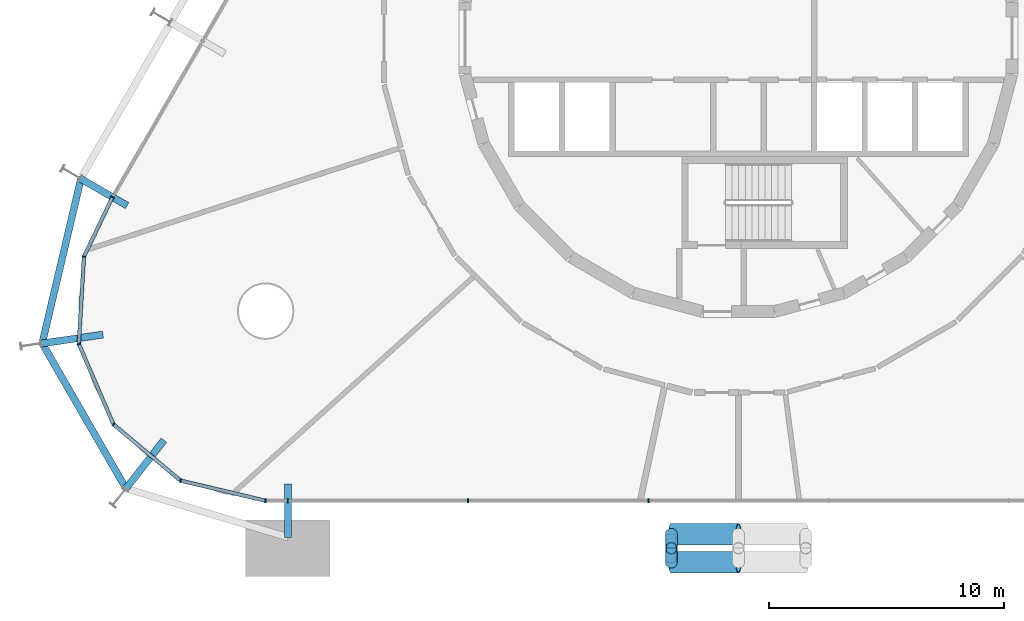
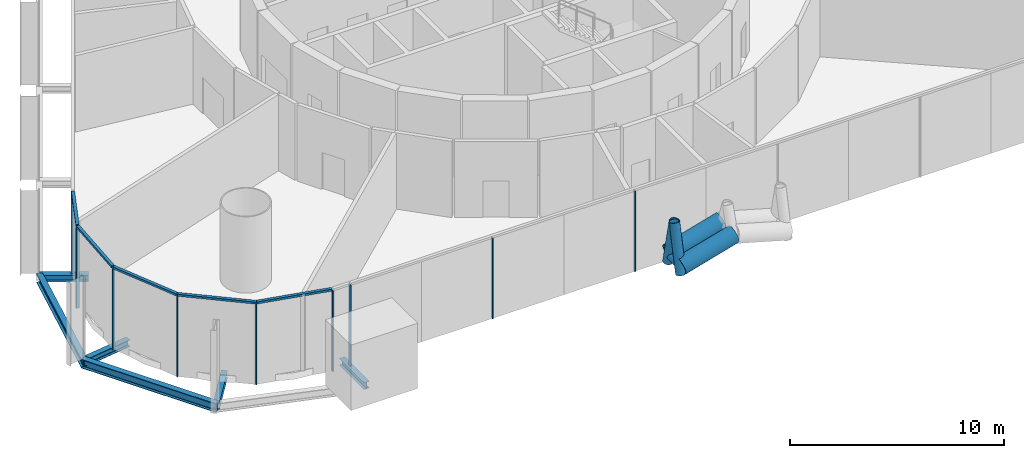
# One storey, part 3 of 17: 19 members, 6 beams, 2 elements without a shape of their own.
"""IFC4 building model written with IfcOpenShell, lengths in metres."""

from ifc_helpers import new_model, si_unit, direction, frame, origin, origin_2d, place, context, subcontext, project, spatial, rectangle, hollow_circle, i_section, extrude, material, layer, layer_set, material_profile, profile_set, type_object, element, aggregate, save


model = new_model("IFC4")

# Units and contexts
model_context = context("Model", 3, precision=1e-05, world=origin(), true_north=direction((0.0, 1.0)))
body_context = subcontext(model_context, "Body", "Model", "MODEL_VIEW")
ifc_project = project(units=[si_unit("LENGTHUNIT", "METRE"), si_unit("AREAUNIT", "SQUARE_METRE"), si_unit("VOLUMEUNIT", "CUBIC_METRE"), si_unit("PLANEANGLEUNIT", "RADIAN"), si_unit("MASSUNIT", "GRAM", prefix="KILO")], contexts=[model_context])

# Site, building, storey
site_placement = place(None, origin())
site = spatial("IfcSite", under=ifc_project, at=site_placement, CompositionType="ELEMENT")
building_placement = place(site_placement, origin())
building = spatial("IfcBuilding", under=site, at=building_placement, Name="Spindle Arch Residences", CompositionType="ELEMENT")
storey_placement = place(building_placement, frame((0.0, 0.0, 28.199951171875)))
storey = spatial("IfcBuildingStorey", under=building, at=storey_placement, Name="L05", CompositionType="ELEMENT", Elevation=28.199951171875)

# Members
ifc_material_1 = material(Name="Steel S355J2, intumescent coating R 240", Category="steel")
ifc_material_profile_1 = material_profile(ifc_material_1, hollow_circle(Radius=0.25390625, WallThickness=0.02490234375, at=origin_2d()), Name="CHS 508x25")
ifc_profile_set_1 = profile_set([ifc_material_profile_1], Name="Steel S355J2, intumescent coating R 240")
member_type_1 = type_object("IfcMemberType", Name="Arch hanger CHS 508x25", PredefinedType="BRACE", material=ifc_profile_set_1)
for number, where, z_axis, x_axis, name in (
    (1, (-2.8623046875, -21.72998046875, 3.342041015625), (0.0, -0.222066416142, -0.97503154145), (1.0, 0.0, 0.0), "Arch hanger 1.11"),
    (2, (-2.8623046875, -21.72998046875, 3.342041015625), (0.0, 0.222152337668, -0.975011968577), (-1.0, 0.0, 0.0), "Arch hanger 2.11"),
):
    element("IfcMember", number, at=place(storey_placement, frame(where, z_axis=z_axis, x_axis=x_axis)), inside=storey, type_object=member_type_1, Name=name, PredefinedType="BRACE", context=body_context, shape_type="SweptSolid", body=[
        extrude(hollow_circle(Radius=0.25390625, WallThickness=0.02490234375, at=origin_2d()), origin(), (0.0, 0.0, 1.0), 2.701171875),
    ])
ifc_material_2 = material(Name="Steel S355J2, intumescent coating R 240", Category="steel")
ifc_material_profile_2 = material_profile(ifc_material_2, hollow_circle(Radius=0.45703125, WallThickness=0.050048828125, at=origin_2d()), Name="CHS 914x50")
ifc_profile_set_2 = profile_set([ifc_material_profile_2], Name="Steel S355J2, intumescent coating R 240")
member_type_2 = type_object("IfcMemberType", Name="Arch rib CHS 914x50", PredefinedType="MEMBER", material=ifc_profile_set_2)
for number, where, z_axis, x_axis, name in (
    (3, (-2.8623046875, -22.329833984375, 1.16552734375), (0.962057824422, 0.0, 0.272845638537), (0.0, 1.0, 0.0), "Arch rib 1.12"),
    (4, (-2.8623046875, -21.1298828125, 1.16552734375), (0.962057824422, 0.0, 0.272845638537), (0.0, 1.0, 0.0), "Arch rib 2.12"),
):
    element("IfcMember", number, at=place(storey_placement, frame(where, z_axis=z_axis, x_axis=x_axis)), inside=storey, type_object=member_type_2, Name=name, PredefinedType="MEMBER", context=body_context, shape_type="SweptSolid", body=[
        extrude(hollow_circle(Radius=0.45703125, WallThickness=0.050048828125, at=origin_2d()), origin(), (0.0, 0.0, 1.0), 2.97509765625),
    ])
ifc_material_3 = material(Name="Steel S355J2, intumescent coating R 240", Category="steel")
ifc_material_profile_3 = material_profile(ifc_material_3, hollow_circle(Radius=0.203125, WallThickness=0.02001953125, at=origin_2d()), Name="CHS 406.4x20")
ifc_profile_set_3 = profile_set([ifc_material_profile_3], Name="Steel S355J2, intumescent coating R 240")
member_type_3 = type_object("IfcMemberType", Name="Arch tie CHS 406.4x20", PredefinedType="MEMBER", material=ifc_profile_set_3)
member_1_placement = place(storey_placement, frame((-2.8623046875, -22.329833984375, 1.16552734375), z_axis=(0.0, 1.0, 0.0), x_axis=(-1.0, 0.0, 0.0)))
element("IfcMember", 5, at=member_1_placement, inside=storey, type_object=member_type_3, Name="Arch tie 11", PredefinedType="MEMBER", context=body_context, shape_type="SweptSolid", body=[
    extrude(hollow_circle(Radius=0.203125, WallThickness=0.02001953125, at=origin_2d()), origin(), (0.0, 0.0, 1.0), 1.199951171875),
])

# Curtain wall, members
ifc_material_4 = material(Name="Aluminium bronze unitised frame with tinted glass", Category="aluminium")
ifc_layer_1 = layer(ifc_material_4, 0.159912109375)
ifc_layer_set_1 = layer_set([ifc_layer_1], Name="CW-D corner wall on the fillet arcs")
curtain_wall_type_1 = type_object("IfcCurtainWallType", Name="CW-D corner wall on the fillet arcs", PredefinedType="NOTDEFINED", material=ifc_layer_set_1)
curtain_wall_1_placement = place(storey_placement, origin())
curtain_wall_1 = element("IfcCurtainWall", 6, at=curtain_wall_1_placement, inside=storey, type_object=curtain_wall_type_1, Name="CW-D L05 run 5", PredefinedType="NOTDEFINED")
ifc_material_5 = material(Name="Aluminium bronze anodised mullion", Category="aluminium")
ifc_material_profile_4 = material_profile(ifc_material_5, rectangle(XDim=0.159912109375, YDim=0.06005859375, at=origin_2d()), Name="MU 60x160")
ifc_profile_set_4 = profile_set([ifc_material_profile_4], Name="Aluminium bronze anodised mullion")
member_type_4 = type_object("IfcMemberType", Name="Bronze mullion 60x160", PredefinedType="MULLION", material=ifc_profile_set_4)
member_2_placement = place(storey_placement, frame((-26.66943359375, -6.77294921875, -0.3798828125), z_axis=(0.0, 0.0, 1.0), x_axis=(0.902111889092, -0.431502189519, 0.0)))
member_2 = element("IfcMember", 7, at=member_2_placement, type_object=member_type_4, Name="CW-D mullion 00", PredefinedType="MULLION", context=body_context, shape_type="SweptSolid", body=[
    extrude(rectangle(XDim=0.159912109375, YDim=0.06005859375, at=origin_2d()), origin(), (0.0, 0.0, 1.0), 4.60986328125),
])
member_3_placement = place(storey_placement, frame((-27.884033203125, -9.3125, -0.3798828125), z_axis=(0.0, 0.0, 1.0), x_axis=(0.99830815821, -0.058144829968, 0.0)))
member_3 = element("IfcMember", 8, at=member_3_placement, type_object=member_type_4, Name="CW-D mullion 01", PredefinedType="MULLION", context=body_context, shape_type="SweptSolid", body=[
    extrude(rectangle(XDim=0.159912109375, YDim=0.06005859375, at=origin_2d()), origin(), (0.0, 0.0, 1.0), 4.60986328125),
])
member_4_placement = place(storey_placement, frame((-28.100830078125, -13.032958984375, -0.3798828125), z_axis=(0.0, 0.0, 1.0), x_axis=(0.918216106599, 0.396079766691, 0.0)))
member_4 = element("IfcMember", 9, at=member_4_placement, type_object=member_type_4, Name="CW-D mullion 02", PredefinedType="MULLION", context=body_context, shape_type="SweptSolid", body=[
    extrude(rectangle(XDim=0.159912109375, YDim=0.06005859375, at=origin_2d()), origin(), (0.0, 0.0, 1.0), 4.60986328125),
])
member_5_placement = place(storey_placement, frame((-26.624755859375, -16.454833984375, -0.3798828125), z_axis=(0.0, 0.0, 1.0), x_axis=(0.64278760716, 0.766044445239, 0.0)))
member_5 = element("IfcMember", 10, at=member_5_placement, type_object=member_type_4, Name="CW-D mullion 03", PredefinedType="MULLION", context=body_context, shape_type="SweptSolid", body=[
    extrude(rectangle(XDim=0.159912109375, YDim=0.06005859375, at=origin_2d()), origin(), (0.0, 0.0, 1.0), 4.60986328125),
])
member_6_placement = place(storey_placement, frame((-23.769775390625, -18.850341796875, -0.3798828125), z_axis=(0.0, 0.0, 1.0), x_axis=(0.230615868852, 0.973044871028, 0.0)))
member_6 = element("IfcMember", 11, at=member_6_placement, type_object=member_type_4, Name="CW-D mullion 04", PredefinedType="MULLION", context=body_context, shape_type="SweptSolid", body=[
    extrude(rectangle(XDim=0.159912109375, YDim=0.06005859375, at=origin_2d()), origin(), (0.0, 0.0, 1.0), 4.60986328125),
])
member_7_placement = place(storey_placement, frame((-20.1435546875, -19.7099609375, -0.3798828125), z_axis=(0.0, 0.0, 1.0), x_axis=(0.0, 1.0, 0.0)))
member_7 = element("IfcMember", 12, at=member_7_placement, type_object=member_type_4, Name="CW-D mullion 05", PredefinedType="MULLION", context=body_context, shape_type="SweptSolid", body=[
    extrude(rectangle(XDim=0.159912109375, YDim=0.06005859375, at=origin_2d()), origin(), (0.0, 0.0, 1.0), 4.60986328125),
])

ifc_material_6 = material(Name="Aluminium bronze unitised frame with tinted glass", Category="aluminium")
ifc_layer_2 = layer(ifc_material_6, 0.159912109375)
ifc_layer_set_2 = layer_set([ifc_layer_2], Name="CW-B amenity podium glazed wall")
curtain_wall_type_2 = type_object("IfcCurtainWallType", Name="CW-B amenity podium glazed wall", PredefinedType="NOTDEFINED", material=ifc_layer_set_2)
curtain_wall_2_placement = place(storey_placement, origin())
curtain_wall_2 = element("IfcCurtainWall", 13, at=curtain_wall_2_placement, inside=storey, type_object=curtain_wall_type_2, Name="CW-B L05 run 6", PredefinedType="NOTDEFINED")
member_8_placement = place(storey_placement, frame((-19.2001953125, -19.7099609375, -0.3798828125), z_axis=(0.0, 0.0, 1.0), x_axis=(0.0, 1.0, 0.0)))
member_8 = element("IfcMember", 14, at=member_8_placement, type_object=member_type_4, Name="CW-B mullion 21", PredefinedType="MULLION", context=body_context, shape_type="SweptSolid", body=[
    extrude(rectangle(XDim=0.159912109375, YDim=0.06005859375, at=origin_2d()), origin(), (0.0, 0.0, 1.0), 4.60986328125),
])
member_9_placement = place(storey_placement, frame((-11.52001953125, -19.7099609375, -0.3798828125), z_axis=(0.0, 0.0, 1.0), x_axis=(0.0, 1.0, 0.0)))
member_9 = element("IfcMember", 15, at=member_9_placement, type_object=member_type_4, Name="CW-B mullion 22", PredefinedType="MULLION", context=body_context, shape_type="SweptSolid", body=[
    extrude(rectangle(XDim=0.159912109375, YDim=0.06005859375, at=origin_2d()), origin(), (0.0, 0.0, 1.0), 4.60986328125),
])
member_10_placement = place(storey_placement, frame((-3.840087890625, -19.7099609375, -0.3798828125), z_axis=(0.0, 0.0, 1.0), x_axis=(0.0, 1.0, 0.0)))
member_10 = element("IfcMember", 16, at=member_10_placement, type_object=member_type_4, Name="CW-B mullion 23", PredefinedType="MULLION", context=body_context, shape_type="SweptSolid", body=[
    extrude(rectangle(XDim=0.159912109375, YDim=0.06005859375, at=origin_2d()), origin(), (0.0, 0.0, 1.0), 4.60986328125),
])
aggregate(curtain_wall_2, [member_8, member_9, member_10])

# Member
ifc_material_7 = material(Name="Aluminium bronze anodised transom", Category="aluminium")
ifc_material_profile_5 = material_profile(ifc_material_7, rectangle(XDim=0.159912109375, YDim=0.1201171875, at=origin_2d()), Name="TR 120x160")
ifc_profile_set_5 = profile_set([ifc_material_profile_5], Name="Aluminium bronze anodised transom")
member_type_5 = type_object("IfcMemberType", Name="Bronze transom 120x160", PredefinedType="USERDEFINED", material=ifc_profile_set_5)
member_11_placement = place(storey_placement, frame((-26.682373046875, -6.800048828125, 4.2900390625), z_axis=(-0.43147744699, -0.902123723631, 0.0), x_axis=(0.902123723631, -0.43147744699, 0.0)))
member_11 = element("IfcMember", 17, at=member_11_placement, type_object=member_type_5, Name="CW-D transom 00", ObjectType="TRANSOM", PredefinedType="USERDEFINED", context=body_context, shape_type="SweptSolid", body=[
    extrude(rectangle(XDim=0.159912109375, YDim=0.1201171875, at=origin_2d()), origin(), (0.0, 0.0, 1.0), 2.7548828125),
])

member_12_placement = place(storey_placement, frame((-27.885986328125, -9.342529296875, 4.2900390625), z_axis=(-0.058128716156, -0.998309096602, 0.0), x_axis=(0.998309096602, -0.058128716156, 0.0)))
member_12 = element("IfcMember", 18, at=member_12_placement, type_object=member_type_5, Name="CW-D transom 01", ObjectType="TRANSOM", PredefinedType="USERDEFINED", context=body_context, shape_type="SweptSolid", body=[
    extrude(rectangle(XDim=0.159912109375, YDim=0.1201171875, at=origin_2d()), origin(), (0.0, 0.0, 1.0), 3.66650390625),
])

member_13_placement = place(storey_placement, frame((-28.0888671875, -13.060546875, 4.2900390625), z_axis=(0.39603167212, -0.918236851078, 0.0), x_axis=(0.918236851078, 0.39603167212, 0.0)))
member_13 = element("IfcMember", 19, at=member_13_placement, type_object=member_type_5, Name="CW-D transom 02", ObjectType="TRANSOM", PredefinedType="USERDEFINED", context=body_context, shape_type="SweptSolid", body=[
    extrude(rectangle(XDim=0.159912109375, YDim=0.1201171875, at=origin_2d()), origin(), (0.0, 0.0, 1.0), 3.666748046875),
])

member_14_placement = place(storey_placement, frame((-26.601806640625, -16.47412109375, 4.2900390625), z_axis=(0.766006453075, -0.642832881741, 0.0), x_axis=(0.642832881741, 0.766006453075, 0.0)))
member_14 = element("IfcMember", 20, at=member_14_placement, type_object=member_type_5, Name="CW-D transom 03", ObjectType="TRANSOM", PredefinedType="USERDEFINED", context=body_context, shape_type="SweptSolid", body=[
    extrude(rectangle(XDim=0.159912109375, YDim=0.1201171875, at=origin_2d()), origin(), (0.0, 0.0, 1.0), 3.666748046875),
])

member_15_placement = place(storey_placement, frame((-23.74072265625, -18.857421875, 4.2900390625), z_axis=(0.973053560164, -0.230579203425, 0.0), x_axis=(0.230579203425, 0.973053560164, 0.0)))
member_15 = element("IfcMember", 21, at=member_15_placement, type_object=member_type_5, Name="CW-D transom 04", ObjectType="TRANSOM", PredefinedType="USERDEFINED", context=body_context, shape_type="SweptSolid", body=[
    extrude(rectangle(XDim=0.159912109375, YDim=0.1201171875, at=origin_2d()), origin(), (0.0, 0.0, 1.0), 3.666748046875),
])

aggregate(curtain_wall_1, [member_2, member_11, member_3, member_12, member_4, member_13, member_5, member_14, member_6, member_15, member_7])

# Beams
ifc_material_8 = material(Name="Steel S460ML, intumescent coating R 120", Category="steel")
ifc_material_profile_6 = material_profile(ifc_material_8, i_section(OverallWidth=0.300048828125, OverallDepth=0.5, WebThickness=0.014404296875, FlangeThickness=0.028076171875, FilletRadius=0.027099609375, at=origin_2d()), Name="HEB 500")
ifc_profile_set_6 = profile_set([ifc_material_profile_6], Name="Steel S460ML, intumescent coating R 120")
beam_type_1 = type_object("IfcBeamType", Name="Exoskeleton edge beam HEB 500", PredefinedType="BEAM", material=ifc_profile_set_6)
beam_1_placement = place(storey_placement, frame((-28.006591796875, -5.974609375, -0.6298828125), z_axis=(-0.229185730541, -0.973382710406, 0.0), x_axis=(0.973382710406, -0.229185730541, 0.0)))
element("IfcBeam", 22, at=beam_1_placement, inside=storey, type_object=beam_type_1, Name="Exoskeleton edge beam 19", PredefinedType="BEAM", context=body_context, shape_type="SweptSolid", body=[
    extrude(i_section(OverallWidth=0.300048828125, OverallDepth=0.5, WebThickness=0.014404296875, FlangeThickness=0.028076171875, FilletRadius=0.027099609375, at=origin_2d()), origin(), (0.0, 0.0, 1.0), 7.25),
])
beam_2_placement = place(storey_placement, frame((-29.685302734375, -12.9609375, -0.6298828125), z_axis=(0.500025200273, -0.866010853911, 0.0), x_axis=(0.866010853911, 0.500025200273, 0.0)))
element("IfcBeam", 23, at=beam_2_placement, inside=storey, type_object=beam_type_1, Name="Exoskeleton edge beam 20", PredefinedType="BEAM", context=body_context, shape_type="SweptSolid", body=[
    extrude(i_section(OverallWidth=0.300048828125, OverallDepth=0.5, WebThickness=0.014404296875, FlangeThickness=0.028076171875, FilletRadius=0.027099609375, at=origin_2d()), origin(), (0.0, 0.0, 1.0), 7.236572265625),
])
ifc_material_9 = material(Name="Steel S460ML, intumescent coating R 120", Category="steel")
ifc_material_profile_7 = material_profile(ifc_material_9, i_section(OverallWidth=0.300048828125, OverallDepth=0.389892578125, WebThickness=0.010986328125, FlangeThickness=0.01904296875, FilletRadius=0.027099609375, at=origin_2d()), Name="HEA 400")
ifc_profile_set_7 = profile_set([ifc_material_profile_7], Name="Steel S460ML, intumescent coating R 120")
beam_type_2 = type_object("IfcBeamType", Name="Floor outrigger HEA 400", PredefinedType="BEAM", material=ifc_profile_set_7)
beam_3_placement = place(storey_placement, frame((-28.029052734375, -5.98779296875, -0.574951171875), z_axis=(0.866001280077, -0.50004178116, 0.0), x_axis=(0.50004178116, 0.866001280077, 0.0)))
element("IfcBeam", 24, at=beam_3_placement, inside=storey, type_object=beam_type_2, Name="Floor outrigger 19", PredefinedType="BEAM", context=body_context, shape_type="SweptSolid", body=[
    extrude(i_section(OverallWidth=0.300048828125, OverallDepth=0.389892578125, WebThickness=0.010986328125, FlangeThickness=0.01904296875, FilletRadius=0.027099609375, at=origin_2d()), origin(), (0.0, 0.0, 1.0), 2.294189453125),
])
for number, where, z_axis, x_axis, name in (
    (25, (-29.694580078125, -13.009033203125, -0.574951171875), (0.989738348309, 0.142891573883, 0.0), (-0.142891573883, 0.989738348309, 0.0), "Floor outrigger 20"),
    (26, (-26.11328125, -19.211669921875, -0.574951171875), (0.618586231558, 0.785716917297, 0.0), (-0.785716917297, 0.618586231558, 0.0), "Floor outrigger 21"),
):
    element("IfcBeam", number, at=place(storey_placement, frame(where, z_axis=z_axis, x_axis=x_axis)), inside=storey, type_object=beam_type_2, Name=name, PredefinedType="BEAM", context=body_context, shape_type="SweptSolid", body=[
        extrude(i_section(OverallWidth=0.300048828125, OverallDepth=0.389892578125, WebThickness=0.010986328125, FlangeThickness=0.01904296875, FilletRadius=0.027099609375, at=origin_2d()), origin(), (0.0, 0.0, 1.0), 2.64990234375),
    ])
beam_4_placement = place(storey_placement, frame((-19.2001953125, -21.27978515625, -0.574951171875), z_axis=(0.0, 1.0, 0.0), x_axis=(-1.0, 0.0, 0.0)))
element("IfcBeam", 27, at=beam_4_placement, inside=storey, type_object=beam_type_2, Name="Floor outrigger 22", PredefinedType="BEAM", context=body_context, shape_type="SweptSolid", body=[
    extrude(i_section(OverallWidth=0.300048828125, OverallDepth=0.389892578125, WebThickness=0.010986328125, FlangeThickness=0.01904296875, FilletRadius=0.027099609375, at=origin_2d()), origin(), (0.0, 0.0, 1.0), 2.2939453125),
])

save(model, "model.ifc")
